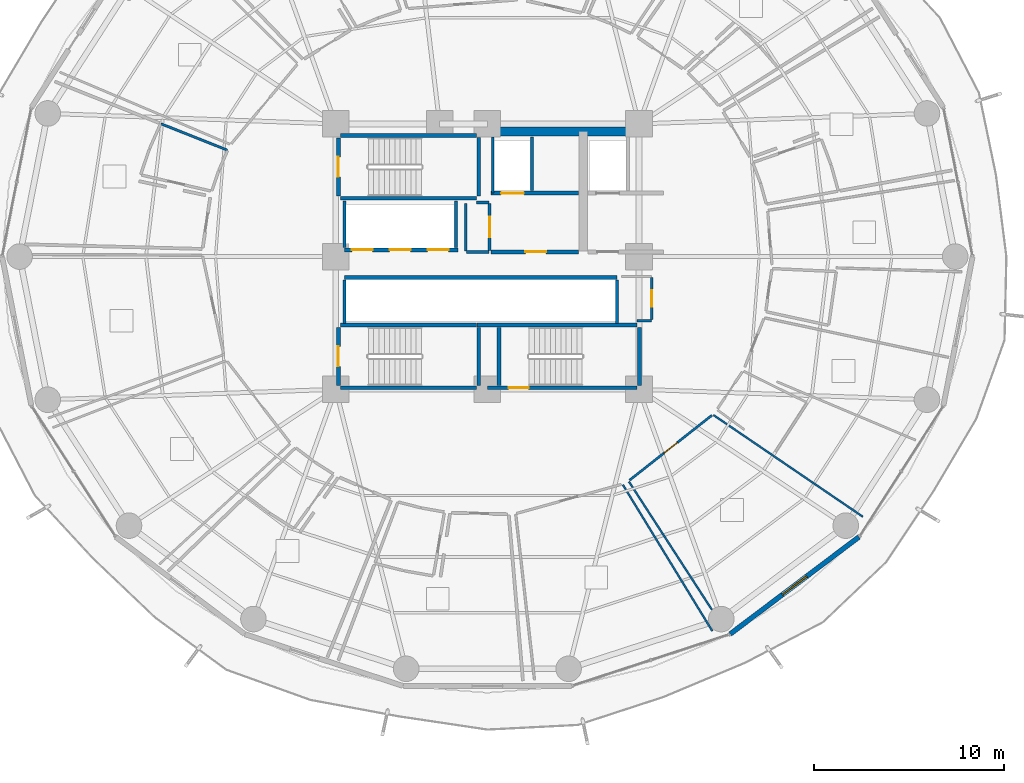
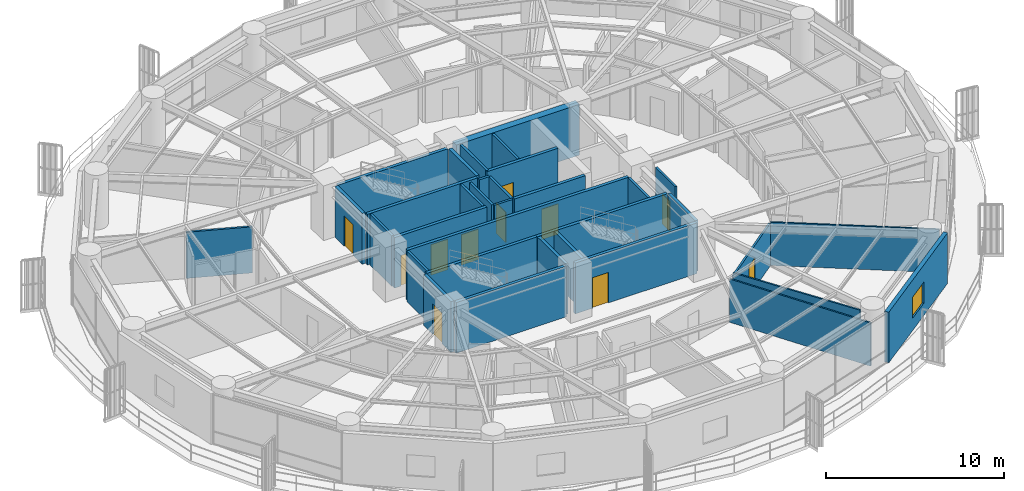
# One storey, part 26 of 33: 35 walls, 11 doors, 1 window, 12 openings.
"""IFC4 building model written with IfcOpenShell, lengths in metres."""

from ifc_helpers import new_model, si_unit, direction, frame, frame_2d, origin, place, context, subcontext, project, spatial, rectangle, extrude, material, layer, layer_set, type_object, element, fill, save


model = new_model("IFC4")

# Units and contexts
model_context = context("Model", 3, precision=1e-05, world=origin(), true_north=direction((0.0, 1.0)))
body_context = subcontext(model_context, "Body", "Model", "MODEL_VIEW")
ifc_project = project(units=[si_unit("LENGTHUNIT", "METRE"), si_unit("AREAUNIT", "SQUARE_METRE"), si_unit("VOLUMEUNIT", "CUBIC_METRE"), si_unit("PLANEANGLEUNIT", "RADIAN"), si_unit("MASSUNIT", "GRAM", prefix="KILO")], contexts=[model_context])

# Site, building, storey
site_placement = place(None, origin())
site = spatial("IfcSite", under=ifc_project, at=site_placement, CompositionType="ELEMENT")
building_placement = place(site_placement, origin())
building = spatial("IfcBuilding", under=site, at=building_placement, Name="Kelanora Arch Commons", CompositionType="ELEMENT")
storey_placement = place(building_placement, frame((0.0, 0.0, 83.85009765625)))
storey = spatial("IfcBuildingStorey", under=building, at=storey_placement, Name="L21", CompositionType="ELEMENT", Elevation=83.85009765625)

# Walls
ifc_material_1 = material(Name="Autoclaved aerated concrete blockwork with fire plaster", Category="masonry")
ifc_layer_1 = layer(ifc_material_1, 0.14990234375)
ifc_layer_set_1 = layer_set([ifc_layer_1], Name="Autoclaved aerated concrete blockwork with fire plaster")
wall_type_1 = type_object("IfcWallType", Name="W-COMP-150", PredefinedType="PARTITIONING", material=ifc_layer_set_1)
wall_1_placement = place(storey_placement, frame((74.280029296875, 61.35009765625, 0.0), z_axis=(0.0, 0.0, 1.0), x_axis=(0.0, 1.0, 0.0)))
element("IfcWall", 1, at=wall_1_placement, inside=storey, type_object=wall_type_1, Name="Firefighting Lift 1 West Shaft Wall L21", PredefinedType="PARTITIONING", context=body_context, shape_type="SweptSolid", body=[
    extrude(rectangle(XDim=2.969970703125, YDim=0.14990234375, at=frame_2d((1.48486328125, 0.0))), origin(), (0.0, 0.0, 1.0), 3.47998046875),
])
wall_2_placement = place(storey_placement, frame((76.360107421875, 61.47998046875, 0.0), z_axis=(0.0, 0.0, 1.0), x_axis=(0.0, 1.0, 0.0)))
element("IfcWall", 2, at=wall_2_placement, inside=storey, type_object=wall_type_1, Name="Firefighting Lift 1 East Shaft Wall L21", PredefinedType="PARTITIONING", context=body_context, shape_type="SweptSolid", body=[
    extrude(rectangle(XDim=2.840087890625, YDim=0.14990234375, at=frame_2d((1.419921875, 0.0))), origin(), (0.0, 0.0, 1.0), 3.47998046875),
])
for number, where, z_axis, x_axis, name in (
    (3, (66.4599609375, 58.47998046875, 0.0), (0.0, 0.0, 1.0), (0.0, 1.0, 0.0), "Low-Rise Lift Bank West Wall L21"),
    (4, (72.340087890625, 58.47998046875, 0.0), (0.0, 0.0, 1.0), (0.0, 1.0, 0.0), "Low-Rise Lift Bank East Wall L21"),
):
    element("IfcWall", number, at=place(storey_placement, frame(where, z_axis=z_axis, x_axis=x_axis)), inside=storey, type_object=wall_type_1, Name=name, PredefinedType="PARTITIONING", context=body_context, shape_type="SweptSolid", body=[
        extrude(rectangle(XDim=2.4599609375, YDim=0.14990234375, at=frame_2d((1.22998046875, 0.0))), origin(), (0.0, 0.0, 1.0), 3.47998046875),
    ])
for number, where, z_axis, x_axis, name in (
    (5, (66.4599609375, 54.47998046875, 0.0), (0.0, 0.0, 1.0), (0.0, 1.0, 0.0), "South Lift Bank West Wall L21"),
    (6, (80.840087890625, 54.47998046875, 0.0), (0.0, 0.0, 1.0), (0.0, 1.0, 0.0), "South Lift Bank East Wall L21"),
):
    element("IfcWall", number, at=place(storey_placement, frame(where, z_axis=z_axis, x_axis=x_axis)), inside=storey, type_object=wall_type_1, Name=name, PredefinedType="PARTITIONING", context=body_context, shape_type="SweptSolid", body=[
        extrude(rectangle(XDim=2.2900390625, YDim=0.14990234375, at=frame_2d((1.14501953125, 0.0))), origin(), (0.0, 0.0, 1.0), 3.47998046875),
    ])

# Wall, opening, door
wall_3_placement = place(storey_placement, frame((74.1201171875, 58.31005859375, 0.0), z_axis=(0.0, 0.0, 1.0), x_axis=(0.0, 1.0, 0.0)))
wall_3 = element("IfcWall", 7, at=wall_3_placement, inside=storey, type_object=wall_type_1, Name="Core Linen Supply Store L21 Entry Partition", PredefinedType="PARTITIONING", context=body_context, shape_type="SweptSolid", body=[
    extrude(rectangle(XDim=2.47998046875, YDim=0.14990234375, at=frame_2d((1.239990234375, 0.0))), origin(), (0.0, 0.0, 1.0), 3.47998046875),
])
opening_1_placement = place(wall_3_placement, frame((0.699951171875, 0.0, 0.0)))
opening_1 = element("IfcOpeningElement", 8, at=opening_1_placement, cuts=wall_3, Name="Opening D-PLT1", PredefinedType="OPENING", context=body_context, shape_type="SweptSolid", body=[
    extrude(rectangle(XDim=1.080078125, YDim=2.10009765625, at=frame_2d((0.5400390625, 1.050048828125))), frame((0.0, 0.0849609375, 0.0), z_axis=(0.0, -1.0, 0.0), x_axis=(1.0, 0.0, 0.0)), (0.0, 0.0, 1.0), 0.169921875),
])
ifc_material_2 = material(Name="Galvanised steel plant and riser fire door", Category="steel")
door_type_1 = type_object("IfcDoorType", Name="D-PLT-110", OperationType="NOTDEFINED", PredefinedType="DOOR", material=ifc_material_2)
door_1_placement = place(opening_1_placement, origin())
door_1 = element("IfcDoor", 9, at=door_1_placement, inside=storey, type_object=door_type_1, Name="Core Linen Supply Store L21 Door", OperationType="SINGLE_SWING_LEFT", OverallHeight=2.10009765625, OverallWidth=1.080078125, PredefinedType="DOOR", context=body_context, shape_type="SweptSolid", body=[
    extrude(rectangle(XDim=1.080078125, YDim=2.10009765625, at=frame_2d((0.5400390625, 1.050048828125))), frame((0.0, 0.02490234375, 0.0), z_axis=(0.0, -1.0, 0.0), x_axis=(1.0, 0.0, 0.0)), (0.0, 0.0, 1.0), 0.050048828125),
])
fill(opening_1, door_1)

# Walls
wall_4_placement = place(storey_placement, frame((72.89990234375, 58.25, 0.0), z_axis=(0.0, 0.0, 1.0), x_axis=(1.0, 0.0, 0.0)))
element("IfcWall", 10, at=wall_4_placement, inside=storey, type_object=wall_type_1, Name="Core Linen Supply Store L21 Enclosure Partition 1", PredefinedType="PARTITIONING", context=body_context, shape_type="SweptSolid", body=[
    extrude(rectangle(XDim=1.18017578125, YDim=0.14990234375, at=frame_2d((0.590087890625, 0.0))), origin(), (0.0, 0.0, 1.0), 3.47998046875),
])
wall_5_placement = place(storey_placement, frame((74.080078125, 60.85009765625, 0.0), z_axis=(0.0, 0.0, 1.0), x_axis=(-1.0, 0.0, 0.0)))
element("IfcWall", 11, at=wall_5_placement, inside=storey, type_object=wall_type_1, Name="Core Linen Supply Store L21 Enclosure Partition 3", PredefinedType="PARTITIONING", context=body_context, shape_type="SweptSolid", body=[
    extrude(rectangle(XDim=0.66015625, YDim=0.14990234375, at=frame_2d((0.330078125, 0.0))), origin(), (0.0, 0.0, 1.0), 3.47998046875),
])
wall_6_placement = place(storey_placement, frame((72.860107421875, 60.81005859375, 0.0), z_axis=(0.0, 0.0, 1.0), x_axis=(0.0, -1.0, 0.0)))
element("IfcWall", 12, at=wall_6_placement, inside=storey, type_object=wall_type_1, Name="Core Linen Supply Store L21 Enclosure Partition 4", PredefinedType="PARTITIONING", context=body_context, shape_type="SweptSolid", body=[
    extrude(rectangle(XDim=2.52001953125, YDim=0.14990234375, at=frame_2d((1.260009765625, 0.0))), origin(), (0.0, 0.0, 1.0), 3.47998046875),
])
ifc_material_3 = material(Name="Concrete C60/75", Category="concrete")
ifc_layer_2 = layer(ifc_material_3, 0.449951171875)
ifc_layer_set_2 = layer_set([ifc_layer_2], Name="Concrete C60/75")
wall_type_2 = type_object("IfcWallType", Name="W-CORE-450", PredefinedType="SHEAR", material=ifc_layer_set_2)
wall_7_placement = place(storey_placement, frame((74.0, 64.60009765625, 0.0), z_axis=(0.0, 0.0, 1.0), x_axis=(1.0, 0.0, 0.0)))
element("IfcWall", 13, at=wall_7_placement, inside=storey, type_object=wall_type_2, Name="Core Shear Spine L21-CN-E", PredefinedType="SHEAR", context=body_context, shape_type="SweptSolid", body=[
    extrude(rectangle(XDim=8.0, YDim=0.449951171875, at=frame_2d((4.0, 0.0))), origin(), (0.0, 0.0, 1.0), 3.489990234375),
])

# Wall, opening, window
ifc_material_4 = material(Name="Precast concrete C40/50 with terracotta rainscreen", Category="masonry")
ifc_layer_3 = layer(ifc_material_4, 0.260009765625)
ifc_layer_set_3 = layer_set([ifc_layer_3], Name="Precast concrete C40/50 with terracotta rainscreen")
wall_type_3 = type_object("IfcWallType", Name="W-EXT-TC", PredefinedType="SOLIDWALL", material=ifc_layer_set_3)
wall_8_placement = place(storey_placement, frame((86.81201171875, 38.09033203125, 0.0), z_axis=(0.0, 0.0, 1.0), x_axis=(0.798501507879, 0.601992808857, 0.0)))
wall_8 = element("IfcWall", 14, at=wall_8_placement, inside=storey, type_object=wall_type_3, Name="Terracotta Exterior Wall L21-B15", PredefinedType="SOLIDWALL", context=body_context, shape_type="SweptSolid", body=[
    extrude(rectangle(XDim=8.499267578125, YDim=0.260009765625, at=frame_2d((4.24951171875, 0.0))), origin(), (0.0, 0.0, 1.0), 3.474853515625),
])
opening_2_placement = place(wall_8_placement, frame((3.449951171875, 0.0, 0.85009765625)))
opening_2 = element("IfcOpeningElement", 15, at=opening_2_placement, cuts=wall_8, Name="Opening WN-01", PredefinedType="OPENING", context=body_context, shape_type="SweptSolid", body=[
    extrude(rectangle(XDim=1.60009765625, YDim=1.449951171875, at=frame_2d((0.800048828125, 0.72509765625))), frame((0.0, 0.14013671875, 0.0), z_axis=(0.0, -1.0, 0.0), x_axis=(1.0, 0.0, 0.0)), (0.0, 0.0, 1.0), 0.280029296875),
])
ifc_material_5 = material(Name="Terracotta-anodised aluminium frame with operable low-E glazing", Category="masonry")
window_type = type_object("IfcWindowType", Name="WIN-CL-18", PartitioningType="DOUBLE_PANEL_VERTICAL", PredefinedType="WINDOW", material=ifc_material_5)
window_placement = place(opening_2_placement, origin())
window = element("IfcWindow", 16, at=window_placement, inside=storey, type_object=window_type, Name="Co-Living Operable Window L21-B15", OverallHeight=1.449951171875, OverallWidth=1.60009765625, PartitioningType="SINGLE_PANEL", PredefinedType="WINDOW", context=body_context, shape_type="SweptSolid", body=[
    extrude(rectangle(XDim=1.60009765625, YDim=1.449951171875, at=frame_2d((0.800048828125, 0.72509765625))), frame((0.0, 0.030029296875, 0.0), z_axis=(0.0, -1.0, 0.0), x_axis=(1.0, 0.0, 0.0)), (0.0, 0.0, 1.0), 0.06005859375),
])
fill(opening_2, window)

# Wall, opening, door
ifc_material_6 = material(Name="Concrete C40/50", Category="concrete")
ifc_layer_4 = layer(ifc_material_6, 0.199951171875)
ifc_layer_set_4 = layer_set([ifc_layer_4], Name="Concrete C40/50")
wall_type_4 = type_object("IfcWallType", Name="W-FFL-200", PredefinedType="SOLIDWALL", material=ifc_layer_set_4)
wall_9_placement = place(storey_placement, frame((74.199951171875, 61.35009765625, 0.0), z_axis=(0.0, 0.0, 1.0), x_axis=(1.0, 0.0, 0.0)))
wall_9 = element("IfcWall", 17, at=wall_9_placement, inside=storey, type_object=wall_type_4, Name="Firefighting Lift 1 Shaft Front L21", PredefinedType="SOLIDWALL", context=body_context, shape_type="SweptSolid", body=[
    extrude(rectangle(XDim=4.60009765625, YDim=0.199951171875, at=frame_2d((2.300048828125, 0.0))), origin(), (0.0, 0.0, 1.0), 3.47998046875),
])
opening_3_placement = place(wall_9_placement, frame((0.52001953125, 0.0, 0.0)))
opening_3 = element("IfcOpeningElement", 18, at=opening_3_placement, cuts=wall_9, Name="Opening LD-FF", PredefinedType="OPENING", context=body_context, shape_type="SweptSolid", body=[
    extrude(rectangle(XDim=1.199951171875, YDim=2.14990234375, at=frame_2d((0.60009765625, 1.074951171875))), frame((0.0, 0.10986328125, 0.0), z_axis=(0.0, -1.0, 0.0), x_axis=(1.0, 0.0, 0.0)), (0.0, 0.0, 1.0), 0.219970703125),
])
ifc_material_7 = material(Name="Fire-rated firefighters lift sliding landing door")
door_type_2 = type_object("IfcDoorType", Name="D-LIFT-FF", OperationType="NOTDEFINED", PredefinedType="DOOR", material=ifc_material_7)
door_2_placement = place(opening_3_placement, origin())
door_2 = element("IfcDoor", 19, at=door_2_placement, inside=storey, type_object=door_type_2, Name="Firefighting Lift LF-FF1 Landing Door L21", OperationType="DOUBLE_DOOR_SLIDING", OverallHeight=2.14990234375, OverallWidth=1.199951171875, PredefinedType="DOOR", context=body_context, shape_type="SweptSolid", body=[
    extrude(rectangle(XDim=1.199951171875, YDim=2.14990234375, at=frame_2d((0.60009765625, 1.074951171875))), frame((0.0, 0.02490234375, 0.0), z_axis=(0.0, -1.0, 0.0), x_axis=(1.0, 0.0, 0.0)), (0.0, 0.0, 1.0), 0.050048828125),
])
fill(opening_3, door_2)

wall_10_placement = place(storey_placement, frame((74.199951171875, 58.25, 0.0), z_axis=(0.0, 0.0, 1.0), x_axis=(1.0, 0.0, 0.0)))
wall_10 = element("IfcWall", 20, at=wall_10_placement, inside=storey, type_object=wall_type_4, Name="Firefighting Lobby 1 Enclosure Wall L21", PredefinedType="SOLIDWALL", context=body_context, shape_type="SweptSolid", body=[
    extrude(rectangle(XDim=4.60009765625, YDim=0.199951171875, at=frame_2d((2.300048828125, 0.0))), origin(), (0.0, 0.0, 1.0), 3.47998046875),
])
opening_4_placement = place(wall_10_placement, frame((1.800048828125, 0.0, 0.0)))
opening_4 = element("IfcOpeningElement", 21, at=opening_4_placement, cuts=wall_10, Name="Opening D-FFL1", PredefinedType="OPENING", context=body_context, shape_type="SweptSolid", body=[
    extrude(rectangle(XDim=1.10009765625, YDim=2.10009765625, at=frame_2d((0.550048828125, 1.050048828125))), frame((0.0, 0.10986328125, 0.0), z_axis=(0.0, -1.0, 0.0), x_axis=(1.0, 0.0, 0.0)), (0.0, 0.0, 1.0), 0.219970703125),
])
ifc_material_8 = material(Name="Smoke-sealed firefighting lobby fire door")
door_type_3 = type_object("IfcDoorType", Name="D-FFL-110", OperationType="NOTDEFINED", PredefinedType="DOOR", material=ifc_material_8)
door_3_placement = place(opening_4_placement, frame((1.10009765625, 0.0, 0.0), z_axis=(0.0, 0.0, 1.0), x_axis=(-1.0, 0.0, 0.0)))
door_3 = element("IfcDoor", 22, at=door_3_placement, inside=storey, type_object=door_type_3, Name="Firefighting Lobby 1 Door L21", OperationType="SINGLE_SWING_LEFT", OverallHeight=2.10009765625, OverallWidth=1.10009765625, PredefinedType="DOOR", context=body_context, shape_type="SweptSolid", body=[
    extrude(rectangle(XDim=1.10009765625, YDim=2.10009765625, at=frame_2d((0.550048828125, 1.050048828125))), frame((0.0, 0.02490234375, 0.0), z_axis=(0.0, -1.0, 0.0), x_axis=(1.0, 0.0, 0.0)), (0.0, 0.0, 1.0), 0.050048828125),
])
fill(opening_4, door_3)

# Wall, openings, doors
wall_11_placement = place(storey_placement, frame((66.449951171875, 58.35009765625, 0.0), z_axis=(0.0, 0.0, 1.0), x_axis=(1.0, 0.0, 0.0)))
wall_11 = element("IfcWall", 23, at=wall_11_placement, inside=storey, type_object=wall_type_4, Name="Low-Rise Passenger Lift Shaft Front L21", PredefinedType="SOLIDWALL", context=body_context, shape_type="SweptSolid", body=[
    extrude(rectangle(XDim=6.0, YDim=0.199951171875, at=frame_2d((3.0, 0.0))), origin(), (0.0, 0.0, 1.0), 3.47998046875),
])
opening_5_placement = place(wall_11_placement, frame((0.39990234375, 0.0, 0.0)))
opening_5 = element("IfcOpeningElement", 24, at=opening_5_placement, cuts=wall_11, Name="Opening LD-01", PredefinedType="OPENING", context=body_context, shape_type="SweptSolid", body=[
    extrude(rectangle(XDim=1.10009765625, YDim=2.10009765625, at=frame_2d((0.550048828125, 1.050048828125))), frame((0.0, 0.10986328125, 0.0), z_axis=(0.0, -1.0, 0.0), x_axis=(1.0, 0.0, 0.0)), (0.0, 0.0, 1.0), 0.219970703125),
])
opening_6_placement = place(wall_11_placement, frame((2.39990234375, 0.0, 0.0)))
opening_6 = element("IfcOpeningElement", 25, at=opening_6_placement, cuts=wall_11, Name="Opening LD-01", PredefinedType="OPENING", context=body_context, shape_type="SweptSolid", body=[
    extrude(rectangle(XDim=1.10009765625, YDim=2.10009765625, at=frame_2d((0.550048828125, 1.050048828125))), frame((0.0, 0.10986328125, 0.0), z_axis=(0.0, -1.0, 0.0), x_axis=(1.0, 0.0, 0.0)), (0.0, 0.0, 1.0), 0.219970703125),
])
opening_7_placement = place(wall_11_placement, frame((4.39990234375, 0.0, 0.0)))
opening_7 = element("IfcOpeningElement", 26, at=opening_7_placement, cuts=wall_11, Name="Opening LD-01", PredefinedType="OPENING", context=body_context, shape_type="SweptSolid", body=[
    extrude(rectangle(XDim=1.10009765625, YDim=2.10009765625, at=frame_2d((0.550048828125, 1.050048828125))), frame((0.0, 0.10986328125, 0.0), z_axis=(0.0, -1.0, 0.0), x_axis=(1.0, 0.0, 0.0)), (0.0, 0.0, 1.0), 0.219970703125),
])
ifc_material_9 = material(Name="Stainless steel passenger lift sliding landing door", Category="steel")
door_type_4 = type_object("IfcDoorType", Name="D-LIFT-110", OperationType="NOTDEFINED", PredefinedType="DOOR", material=ifc_material_9)
door_4_placement = place(opening_5_placement, origin())
door_4 = element("IfcDoor", 27, at=door_4_placement, inside=storey, type_object=door_type_4, Name="Passenger Lift LF-P1 Landing Door L21", OperationType="DOUBLE_DOOR_SLIDING", OverallHeight=2.10009765625, OverallWidth=1.10009765625, PredefinedType="DOOR", context=body_context, shape_type="SweptSolid", body=[
    extrude(rectangle(XDim=1.10009765625, YDim=2.10009765625, at=frame_2d((0.550048828125, 1.050048828125))), frame((0.0, 0.02490234375, 0.0), z_axis=(0.0, -1.0, 0.0), x_axis=(1.0, 0.0, 0.0)), (0.0, 0.0, 1.0), 0.050048828125),
])
fill(opening_5, door_4)
door_5_placement = place(opening_6_placement, origin())
door_5 = element("IfcDoor", 28, at=door_5_placement, inside=storey, type_object=door_type_4, Name="Passenger Lift LF-P2 Landing Door L21", OperationType="DOUBLE_DOOR_SLIDING", OverallHeight=2.10009765625, OverallWidth=1.10009765625, PredefinedType="DOOR", context=body_context, shape_type="SweptSolid", body=[
    extrude(rectangle(XDim=1.10009765625, YDim=2.10009765625, at=frame_2d((0.550048828125, 1.050048828125))), frame((0.0, 0.02490234375, 0.0), z_axis=(0.0, -1.0, 0.0), x_axis=(1.0, 0.0, 0.0)), (0.0, 0.0, 1.0), 0.050048828125),
])
fill(opening_6, door_5)
door_6_placement = place(opening_7_placement, origin())
door_6 = element("IfcDoor", 29, at=door_6_placement, inside=storey, type_object=door_type_4, Name="Passenger Lift LF-P3 Landing Door L21", OperationType="DOUBLE_DOOR_SLIDING", OverallHeight=2.10009765625, OverallWidth=1.10009765625, PredefinedType="DOOR", context=body_context, shape_type="SweptSolid", body=[
    extrude(rectangle(XDim=1.10009765625, YDim=2.10009765625, at=frame_2d((0.550048828125, 1.050048828125))), frame((0.0, 0.02490234375, 0.0), z_axis=(0.0, -1.0, 0.0), x_axis=(1.0, 0.0, 0.0)), (0.0, 0.0, 1.0), 0.050048828125),
])
fill(opening_7, door_6)

# Walls
wall_12_placement = place(storey_placement, frame((66.449951171875, 56.89990234375, 0.0), z_axis=(0.0, 0.0, 1.0), x_axis=(1.0, 0.0, 0.0)))
element("IfcWall", 30, at=wall_12_placement, inside=storey, type_object=wall_type_4, Name="Mid/High/Express Lift Shaft Front L21", PredefinedType="SOLIDWALL", context=body_context, shape_type="SweptSolid", body=[
    extrude(rectangle(XDim=14.400146484375, YDim=0.199951171875, at=frame_2d((7.2001953125, 0.0))), origin(), (0.0, 0.0, 1.0), 3.47998046875),
])
ifc_material_10 = material(Name="Lightweight fire-rated acoustic stud partition")
ifc_layer_5 = layer(ifc_material_10, 0.10009765625)
ifc_layer_set_5 = layer_set([ifc_layer_5], Name="Lightweight fire-rated acoustic stud partition")
wall_type_5 = type_object("IfcWallType", Name="W-PART-100", PredefinedType="PARTITIONING", material=ifc_layer_set_5)
wall_13_placement = place(storey_placement, frame((81.14697265625, 45.96484375, 0.0), z_axis=(0.0, 0.0, 1.0), x_axis=(0.521624536189, -0.853175153908, 0.0)))
element("IfcWall", 31, at=wall_13_placement, inside=storey, type_object=wall_type_5, Name="Quiet Seminar Study Room L21-12 Enclosure Partition 2", PredefinedType="PARTITIONING", context=body_context, shape_type="SweptSolid", body=[
    extrude(rectangle(XDim=9.052734375, YDim=0.10009765625, at=frame_2d((4.5263671875, 0.0))), origin(), (0.0, 0.0, 1.0), 2.974853515625),
])
wall_14_placement = place(storey_placement, frame((85.925048828125, 49.642578125, 0.0), z_axis=(0.0, 0.0, 1.0), x_axis=(0.826688408753, -0.562659999319, 0.0)))
element("IfcWall", 32, at=wall_14_placement, inside=storey, type_object=wall_type_5, Name="Quiet Seminar Study Room L21-13 Enclosure Partition 2", PredefinedType="PARTITIONING", context=body_context, shape_type="SweptSolid", body=[
    extrude(rectangle(XDim=9.5390625, YDim=0.10009765625, at=frame_2d((4.76953125, 0.0))), origin(), (0.0, 0.0, 1.0), 2.974853515625),
])
wall_15_placement = place(storey_placement, frame((85.84375, 39.3720703125, 0.0), z_axis=(0.0, 0.0, 1.0), x_axis=(-0.543590830013, 0.839350349691, 0.0)))
element("IfcWall", 33, at=wall_15_placement, inside=storey, type_object=wall_type_5, Name="Quiet Seminar Study Room L21-13 Enclosure Partition 4", PredefinedType="PARTITIONING", context=body_context, shape_type="SweptSolid", body=[
    extrude(rectangle(XDim=8.04833984375, YDim=0.10009765625, at=frame_2d((4.024169921875, 0.0))), origin(), (0.0, 0.0, 1.0), 3.1748046875),
])

# Wall, opening, door
ifc_material_11 = material(Name="Acoustic twin-stud fire-rated gypsum partition")
ifc_layer_6 = layer(ifc_material_11, 0.1201171875)
ifc_layer_set_6 = layer_set([ifc_layer_6], Name="Acoustic twin-stud fire-rated gypsum partition")
wall_type_6 = type_object("IfcWallType", Name="W-PART-120", PredefinedType="PARTITIONING", material=ifc_layer_set_6)
wall_16_placement = place(storey_placement, frame((81.494140625, 46.197998046875, 0.0), z_axis=(0.0, 0.0, 1.0), x_axis=(0.785315722545, 0.619095482074, 0.0)))
wall_16 = element("IfcWall", 34, at=wall_16_placement, inside=storey, type_object=wall_type_6, Name="Quiet Seminar Study Room L21-13 Entry Partition", PredefinedType="PARTITIONING", context=body_context, shape_type="SweptSolid", body=[
    extrude(rectangle(XDim=5.540283203125, YDim=0.1201171875, at=frame_2d((2.77001953125, 0.0))), origin(), (0.0, 0.0, 1.0), 2.9248046875),
])
opening_8_placement = place(wall_16_placement, frame((2.320068359375, 0.0, 0.0)))
opening_8 = element("IfcOpeningElement", 35, at=opening_8_placement, cuts=wall_16, Name="Opening D-RM1", PredefinedType="OPENING", context=body_context, shape_type="SweptSolid", body=[
    extrude(rectangle(XDim=0.89990234375, YDim=2.080078125, at=frame_2d((0.449951171875, 1.0400390625))), frame((0.0, 0.070068359375, 0.0), z_axis=(0.0, -1.0, 0.0), x_axis=(1.0, 0.0, 0.0)), (0.0, 0.0, 1.0), 0.14013671875),
])
ifc_material_12 = material(Name="Acoustic fire-rated timber study and lounge door", Category="wood")
door_type_5 = type_object("IfcDoorType", Name="D-ROOM-90", OperationType="NOTDEFINED", PredefinedType="DOOR", material=ifc_material_12)
door_7_placement = place(opening_8_placement, origin())
door_7 = element("IfcDoor", 36, at=door_7_placement, inside=storey, type_object=door_type_5, Name="Quiet Seminar Study Room L21-13 Door", OperationType="SINGLE_SWING_RIGHT", OverallHeight=2.080078125, OverallWidth=0.89990234375, PredefinedType="DOOR", context=body_context, shape_type="SweptSolid", body=[
    extrude(rectangle(XDim=0.89990234375, YDim=2.080078125, at=frame_2d((0.449951171875, 1.0400390625))), frame((0.0, 0.02490234375, 0.0), z_axis=(0.0, -1.0, 0.0), x_axis=(1.0, 0.0, 0.0)), (0.0, 0.0, 1.0), 0.050048828125),
])
fill(opening_8, door_7)

# Walls
ifc_layer_7 = layer(ifc_material_6, 0.199951171875)
ifc_layer_set_7 = layer_set([ifc_layer_7], Name="Concrete C40/50")
wall_type_7 = type_object("IfcWallType", Name="W-STAIR-200", PredefinedType="SHEAR", material=ifc_layer_set_7)
wall_17_placement = place(storey_placement, frame((66.260009765625, 61.080078125, 0.0), z_axis=(0.0, 0.0, 1.0), x_axis=(1.0, 0.0, 0.0)))
element("IfcWall", 37, at=wall_17_placement, inside=storey, type_object=wall_type_7, Name="Stair ST-T1 Shaft Wall S L21", PredefinedType="SHEAR", context=body_context, shape_type="SweptSolid", body=[
    extrude(rectangle(XDim=7.159912109375, YDim=0.199951171875, at=frame_2d((3.580078125, 0.0))), origin(), (0.0, 0.0, 1.0), 3.489990234375),
])
wall_18_placement = place(storey_placement, frame((73.5400390625, 61.199951171875, 0.0), z_axis=(0.0, 0.0, 1.0), x_axis=(0.0, 1.0, 0.0)))
element("IfcWall", 38, at=wall_18_placement, inside=storey, type_object=wall_type_7, Name="Stair ST-T1 Shaft Wall E L21", PredefinedType="SHEAR", context=body_context, shape_type="SweptSolid", body=[
    extrude(rectangle(XDim=3.070068359375, YDim=0.199951171875, at=frame_2d((1.53515625, 0.0))), origin(), (0.0, 0.0, 1.0), 3.489990234375),
])
wall_19_placement = place(storey_placement, frame((73.419921875, 64.389892578125, 0.0), z_axis=(0.0, 0.0, 1.0), x_axis=(-1.0, 0.0, 0.0)))
element("IfcWall", 39, at=wall_19_placement, inside=storey, type_object=wall_type_7, Name="Stair ST-T1 Shaft Wall N L21", PredefinedType="SHEAR", context=body_context, shape_type="SweptSolid", body=[
    extrude(rectangle(XDim=7.159912109375, YDim=0.199951171875, at=frame_2d((3.580078125, 0.0))), origin(), (0.0, 0.0, 1.0), 3.489990234375),
])

# Wall, opening, door
wall_20_placement = place(storey_placement, frame((66.139892578125, 64.27001953125, 0.0), z_axis=(0.0, 0.0, 1.0), x_axis=(0.0, -1.0, 0.0)))
wall_20 = element("IfcWall", 40, at=wall_20_placement, inside=storey, type_object=wall_type_7, Name="Stair ST-T1 Shaft Wall W L21", PredefinedType="SHEAR", context=body_context, shape_type="SweptSolid", body=[
    extrude(rectangle(XDim=3.070068359375, YDim=0.199951171875, at=frame_2d((1.53515625, 0.0))), origin(), (0.0, 0.0, 1.0), 3.489990234375),
])
opening_9_placement = place(wall_20_placement, frame((1.010009765625, 0.0, 0.0)))
opening_9 = element("IfcOpeningElement", 41, at=opening_9_placement, cuts=wall_20, Name="Opening D-ST1", PredefinedType="OPENING", context=body_context, shape_type="SweptSolid", body=[
    extrude(rectangle(XDim=1.050048828125, YDim=2.10009765625, at=frame_2d((0.52490234375, 1.050048828125))), frame((0.0, 0.10986328125, 0.0), z_axis=(0.0, -1.0, 0.0), x_axis=(1.0, 0.0, 0.0)), (0.0, 0.0, 1.0), 0.219970703125),
])
ifc_material_13 = material(Name="Steel fire-rated stairwell escape door", Category="steel")
door_type_6 = type_object("IfcDoorType", Name="D-STAIR-110", OperationType="NOTDEFINED", PredefinedType="DOOR", material=ifc_material_13)
door_8_placement = place(opening_9_placement, origin())
door_8 = element("IfcDoor", 42, at=door_8_placement, inside=storey, type_object=door_type_6, Name="Stair ST-T1 Escape Door L21", OperationType="SINGLE_SWING_LEFT", OverallHeight=2.10009765625, OverallWidth=1.050048828125, PredefinedType="DOOR", context=body_context, shape_type="SweptSolid", body=[
    extrude(rectangle(XDim=1.050048828125, YDim=2.10009765625, at=frame_2d((0.52490234375, 1.050048828125))), frame((0.0, 0.02490234375, 0.0), z_axis=(0.0, -1.0, 0.0), x_axis=(1.0, 0.0, 0.0)), (0.0, 0.0, 1.0), 0.050048828125),
])
fill(opening_9, door_8)

wall_21_placement = place(storey_placement, frame((74.0, 51.080078125, 0.0), z_axis=(0.0, 0.0, 1.0), x_axis=(1.0, 0.0, 0.0)))
wall_21 = element("IfcWall", 43, at=wall_21_placement, inside=storey, type_object=wall_type_7, Name="Stair ST-T2 Shaft Wall S L21", PredefinedType="SHEAR", context=body_context, shape_type="SweptSolid", body=[
    extrude(rectangle(XDim=7.89990234375, YDim=0.199951171875, at=frame_2d((3.949951171875, 0.0))), origin(), (0.0, 0.0, 1.0), 3.489990234375),
])
opening_10_placement = place(wall_21_placement, frame((1.1201171875, 0.0, 0.0)))
opening_10 = element("IfcOpeningElement", 44, at=opening_10_placement, cuts=wall_21, Name="Opening D-ST1", PredefinedType="OPENING", context=body_context, shape_type="SweptSolid", body=[
    extrude(rectangle(XDim=1.050048828125, YDim=2.10009765625, at=frame_2d((0.52490234375, 1.050048828125))), frame((0.0, 0.10986328125, 0.0), z_axis=(0.0, -1.0, 0.0), x_axis=(1.0, 0.0, 0.0)), (0.0, 0.0, 1.0), 0.219970703125),
])
door_9_placement = place(opening_10_placement, origin())
door_9 = element("IfcDoor", 45, at=door_9_placement, inside=storey, type_object=door_type_6, Name="Stair ST-T2 Escape Door L21", OperationType="SINGLE_SWING_LEFT", OverallHeight=2.10009765625, OverallWidth=1.050048828125, PredefinedType="DOOR", context=body_context, shape_type="SweptSolid", body=[
    extrude(rectangle(XDim=1.050048828125, YDim=2.10009765625, at=frame_2d((0.52490234375, 1.050048828125))), frame((0.0, 0.02490234375, 0.0), z_axis=(0.0, -1.0, 0.0), x_axis=(1.0, 0.0, 0.0)), (0.0, 0.0, 1.0), 0.050048828125),
])
fill(opening_10, door_9)

# Walls
wall_22_placement = place(storey_placement, frame((82.02001953125, 51.199951171875, 0.0), z_axis=(0.0, 0.0, 1.0), x_axis=(0.0, 1.0, 0.0)))
element("IfcWall", 46, at=wall_22_placement, inside=storey, type_object=wall_type_7, Name="Stair ST-T2 Shaft Wall E L21", PredefinedType="SHEAR", context=body_context, shape_type="SweptSolid", body=[
    extrude(rectangle(XDim=3.070068359375, YDim=0.199951171875, at=frame_2d((1.53515625, 0.0))), origin(), (0.0, 0.0, 1.0), 3.489990234375),
])
wall_23_placement = place(storey_placement, frame((81.89990234375, 54.389892578125, 0.0), z_axis=(0.0, 0.0, 1.0), x_axis=(-1.0, 0.0, 0.0)))
element("IfcWall", 47, at=wall_23_placement, inside=storey, type_object=wall_type_7, Name="Stair ST-T2 Shaft Wall N L21", PredefinedType="SHEAR", context=body_context, shape_type="SweptSolid", body=[
    extrude(rectangle(XDim=8.4599609375, YDim=0.199951171875, at=frame_2d((4.22998046875, 0.0))), origin(), (0.0, 0.0, 1.0), 3.489990234375),
])
wall_24_placement = place(storey_placement, frame((74.6201171875, 54.27001953125, 0.0), z_axis=(0.0, 0.0, 1.0), x_axis=(0.0, -1.0, 0.0)))
element("IfcWall", 48, at=wall_24_placement, inside=storey, type_object=wall_type_7, Name="Stair ST-T2 Shaft Wall W L21", PredefinedType="SHEAR", context=body_context, shape_type="SweptSolid", body=[
    extrude(rectangle(XDim=3.070068359375, YDim=0.199951171875, at=frame_2d((1.53515625, 0.0))), origin(), (0.0, 0.0, 1.0), 3.489990234375),
])
wall_25_placement = place(storey_placement, frame((66.260009765625, 51.080078125, 0.0), z_axis=(0.0, 0.0, 1.0), x_axis=(1.0, 0.0, 0.0)))
element("IfcWall", 49, at=wall_25_placement, inside=storey, type_object=wall_type_7, Name="Stair ST-T3 Shaft Wall S L21", PredefinedType="SHEAR", context=body_context, shape_type="SweptSolid", body=[
    extrude(rectangle(XDim=7.159912109375, YDim=0.199951171875, at=frame_2d((3.580078125, 0.0))), origin(), (0.0, 0.0, 1.0), 3.489990234375),
])
wall_26_placement = place(storey_placement, frame((73.5400390625, 51.199951171875, 0.0), z_axis=(0.0, 0.0, 1.0), x_axis=(0.0, 1.0, 0.0)))
element("IfcWall", 50, at=wall_26_placement, inside=storey, type_object=wall_type_7, Name="Stair ST-T3 Shaft Wall E L21", PredefinedType="SHEAR", context=body_context, shape_type="SweptSolid", body=[
    extrude(rectangle(XDim=3.070068359375, YDim=0.199951171875, at=frame_2d((1.53515625, 0.0))), origin(), (0.0, 0.0, 1.0), 3.489990234375),
])
wall_27_placement = place(storey_placement, frame((73.419921875, 54.389892578125, 0.0), z_axis=(0.0, 0.0, 1.0), x_axis=(-1.0, 0.0, 0.0)))
element("IfcWall", 51, at=wall_27_placement, inside=storey, type_object=wall_type_7, Name="Stair ST-T3 Shaft Wall N L21", PredefinedType="SHEAR", context=body_context, shape_type="SweptSolid", body=[
    extrude(rectangle(XDim=7.159912109375, YDim=0.199951171875, at=frame_2d((3.580078125, 0.0))), origin(), (0.0, 0.0, 1.0), 3.489990234375),
])

# Wall, opening, door
wall_28_placement = place(storey_placement, frame((66.139892578125, 54.27001953125, 0.0), z_axis=(0.0, 0.0, 1.0), x_axis=(0.0, -1.0, 0.0)))
wall_28 = element("IfcWall", 52, at=wall_28_placement, inside=storey, type_object=wall_type_7, Name="Stair ST-T3 Shaft Wall W L21", PredefinedType="SHEAR", context=body_context, shape_type="SweptSolid", body=[
    extrude(rectangle(XDim=3.070068359375, YDim=0.199951171875, at=frame_2d((1.53515625, 0.0))), origin(), (0.0, 0.0, 1.0), 3.489990234375),
])
opening_11_placement = place(wall_28_placement, frame((1.010009765625, 0.0, 0.0)))
opening_11 = element("IfcOpeningElement", 53, at=opening_11_placement, cuts=wall_28, Name="Opening D-ST1", PredefinedType="OPENING", context=body_context, shape_type="SweptSolid", body=[
    extrude(rectangle(XDim=1.050048828125, YDim=2.10009765625, at=frame_2d((0.52490234375, 1.050048828125))), frame((0.0, 0.10986328125, 0.0), z_axis=(0.0, -1.0, 0.0), x_axis=(1.0, 0.0, 0.0)), (0.0, 0.0, 1.0), 0.219970703125),
])
door_10_placement = place(opening_11_placement, origin())
door_10 = element("IfcDoor", 54, at=door_10_placement, inside=storey, type_object=door_type_6, Name="Stair ST-T3 Escape Door L21", OperationType="SINGLE_SWING_LEFT", OverallHeight=2.10009765625, OverallWidth=1.050048828125, PredefinedType="DOOR", context=body_context, shape_type="SweptSolid", body=[
    extrude(rectangle(XDim=1.050048828125, YDim=2.10009765625, at=frame_2d((0.52490234375, 1.050048828125))), frame((0.0, 0.02490234375, 0.0), z_axis=(0.0, -1.0, 0.0), x_axis=(1.0, 0.0, 0.0)), (0.0, 0.0, 1.0), 0.050048828125),
])
fill(opening_11, door_10)

ifc_material_14 = material(Name="Moisture-resistant fire-rated cement-board plumbing wall")
ifc_layer_8 = layer(ifc_material_14, 0.1298828125)
ifc_layer_set_8 = layer_set([ifc_layer_8], Name="Moisture-resistant fire-rated cement-board plumbing wall")
wall_type_8 = type_object("IfcWallType", Name="W-WET-120", PredefinedType="PLUMBINGWALL", material=ifc_layer_set_8)
wall_29_placement = place(storey_placement, frame((82.679931640625, 54.679931640625, 0.0), z_axis=(0.0, 0.0, 1.0), x_axis=(0.0, 1.0, 0.0)))
wall_29 = element("IfcWall", 55, at=wall_29_placement, inside=storey, type_object=wall_type_8, Name="Core Accessible Unisex WC L21 Entry Partition", PredefinedType="PLUMBINGWALL", context=body_context, shape_type="SweptSolid", body=[
    extrude(rectangle(XDim=2.2099609375, YDim=0.1298828125, at=frame_2d((1.10498046875, 0.0))), origin(), (0.0, 0.0, 1.0), 3.47998046875),
])
opening_12_placement = place(wall_29_placement, frame((0.675048828125, 0.0, 0.0)))
opening_12 = element("IfcOpeningElement", 56, at=opening_12_placement, cuts=wall_29, Name="Opening D-BT1", PredefinedType="OPENING", context=body_context, shape_type="SweptSolid", body=[
    extrude(rectangle(XDim=0.860107421875, YDim=2.050048828125, at=frame_2d((0.43017578125, 1.02490234375))), frame((0.0, 0.074951171875, 0.0), z_axis=(0.0, -1.0, 0.0), x_axis=(1.0, 0.0, 0.0)), (0.0, 0.0, 1.0), 0.14990234375),
])
ifc_material_15 = material(Name="Moisture-sealed fire-rated accessible bathroom door")
door_type_7 = type_object("IfcDoorType", Name="D-BATH-85", OperationType="NOTDEFINED", PredefinedType="DOOR", material=ifc_material_15)
door_11_placement = place(opening_12_placement, origin())
door_11 = element("IfcDoor", 57, at=door_11_placement, inside=storey, type_object=door_type_7, Name="Core Accessible Unisex WC L21 Door", OperationType="SINGLE_SWING_RIGHT", OverallHeight=2.050048828125, OverallWidth=0.860107421875, PredefinedType="DOOR", context=body_context, shape_type="SweptSolid", body=[
    extrude(rectangle(XDim=0.860107421875, YDim=2.050048828125, at=frame_2d((0.43017578125, 1.02490234375))), frame((0.0, 0.02490234375, 0.0), z_axis=(0.0, -1.0, 0.0), x_axis=(1.0, 0.0, 0.0)), (0.0, 0.0, 1.0), 0.050048828125),
])
fill(opening_12, door_11)

# Walls
wall_30_placement = place(storey_placement, frame((81.89990234375, 54.6201171875, 0.0), z_axis=(0.0, 0.0, 1.0), x_axis=(1.0, 0.0, 0.0)))
element("IfcWall", 58, at=wall_30_placement, inside=storey, type_object=wall_type_8, Name="Core Accessible Unisex WC L21 Enclosure Partition 1", PredefinedType="PLUMBINGWALL", context=body_context, shape_type="SweptSolid", body=[
    extrude(rectangle(XDim=0.760009765625, YDim=0.1298828125, at=frame_2d((0.3798828125, 0.0))), origin(), (0.0, 0.0, 1.0), 2.77490234375),
])
wall_31_placement = place(storey_placement, frame((56.78369140625, 65.005615234375, 0.0), z_axis=(0.0, 0.0, 1.0), x_axis=(0.929457187308, -0.368929989242, 0.0)))
element("IfcWall", 59, at=wall_31_placement, inside=storey, type_object=wall_type_8, Name="En-Suite Shower WC L21-07 Enclosure Partition 6", PredefinedType="PLUMBINGWALL", context=body_context, shape_type="SweptSolid", body=[
    extrude(rectangle(XDim=3.765380859375, YDim=0.1298828125, at=frame_2d((1.8828125, 0.0))), origin(), (0.0, 0.0, 1.0), 3.1748046875),
])

save(model, "model.ifc")
